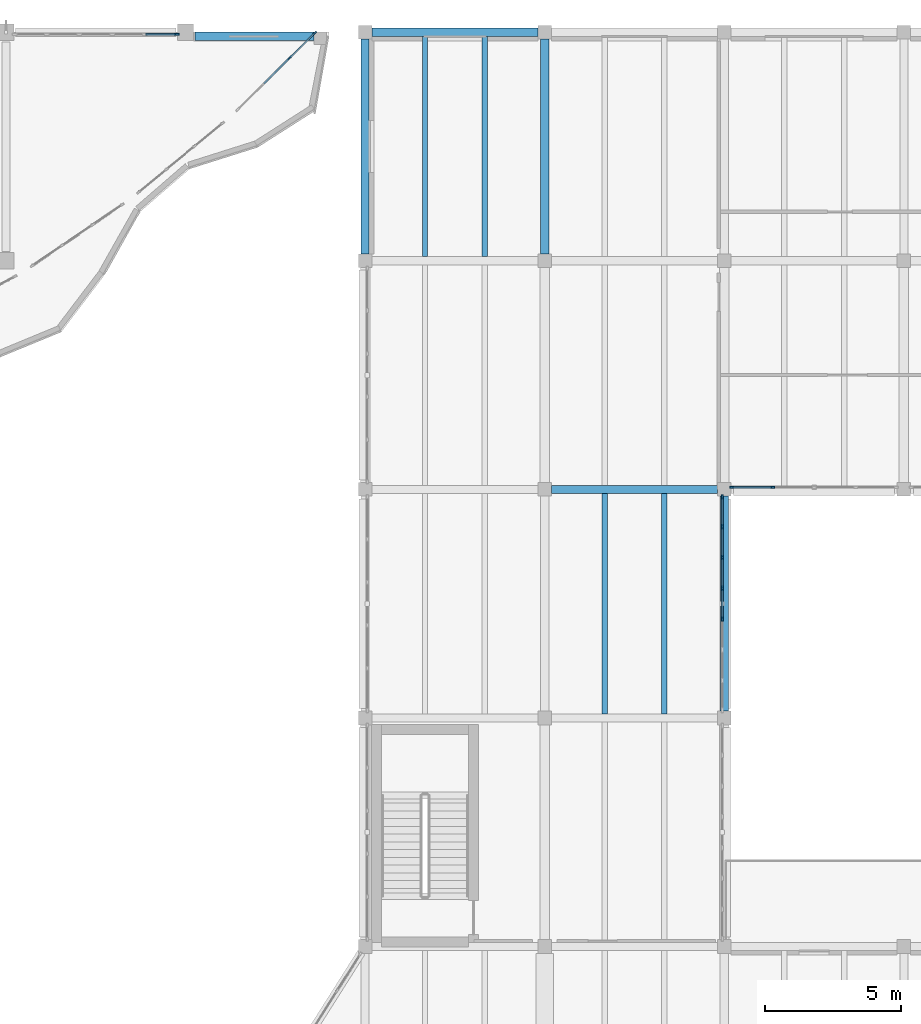
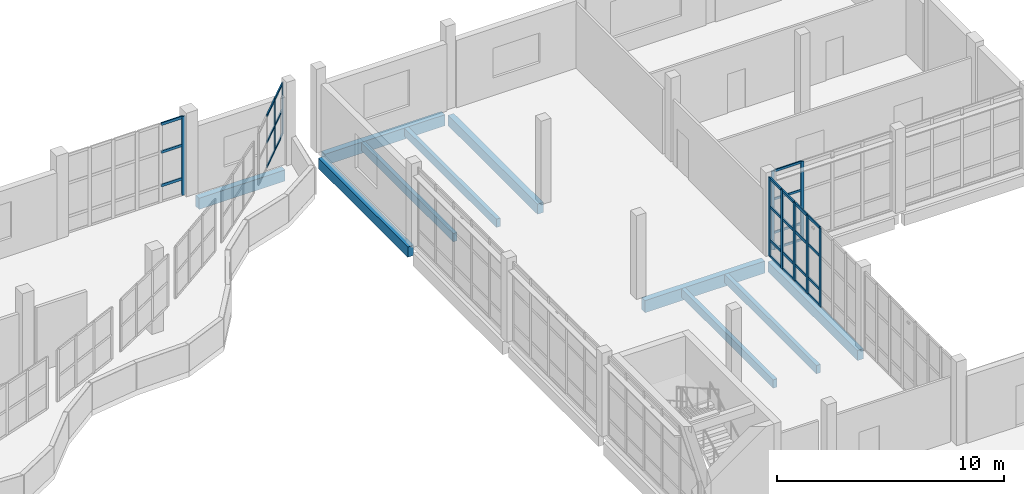
# One storey, part 30 of 76: 39 members, 10 beams, 4 elements without a shape of their own.
"""IFC4 building model written with IfcOpenShell, lengths in metres."""

from ifc_helpers import new_model, si_unit, direction, frame, origin, origin_2d, place, context, subcontext, project, spatial, rectangle, extrude, material, material_profile, profile_set, type_object, element, aggregate, save


model = new_model("IFC4")

# Units and contexts
model_context = context("Model", 3, precision=1e-05, world=origin(), true_north=direction((0.0, 1.0)))
body_context = subcontext(model_context, "Body", "Model", "MODEL_VIEW")
ifc_project = project(units=[si_unit("LENGTHUNIT", "METRE"), si_unit("AREAUNIT", "SQUARE_METRE"), si_unit("VOLUMEUNIT", "CUBIC_METRE"), si_unit("PLANEANGLEUNIT", "RADIAN"), si_unit("MASSUNIT", "GRAM", prefix="KILO")], contexts=[model_context])

# Site, building, storey
site_placement = place(None, origin())
site = spatial("IfcSite", under=ifc_project, at=site_placement, CompositionType="ELEMENT")
building_placement = place(site_placement, origin())
building = spatial("IfcBuilding", under=site, at=building_placement, Name="Qaldarim Faculty of Natural and Applied Sciences", CompositionType="ELEMENT")
storey_placement = place(building_placement, frame((0.0, 0.0, 9.89990234375)))
storey = spatial("IfcBuildingStorey", under=building, at=storey_placement, Name="L02", CompositionType="ELEMENT", Elevation=9.89990234375)

# Beams
ifc_material_1 = material(Name="Concrete C40/50", Category="concrete")
ifc_material_profile_1 = material_profile(ifc_material_1, rectangle(XDim=0.300048828125, YDim=0.550048828125, at=origin_2d()), Name="RC-B300x550")
ifc_profile_set_1 = profile_set([ifc_material_profile_1], Name="Concrete C40/50")
beam_type_1 = type_object("IfcBeamType", Name="FloorBeam-RC300x550", PredefinedType="BEAM", material=ifc_profile_set_1)
for number, where, z_axis, x_axis, name in (
    (1, (151.800048828125, 109.449951171875, -0.574951171875), (0.0, 1.0, 0.0), (-1.0, 0.0, 0.0), "Beam RC-B300x550 L01 X24/Y14-Y15"),
    (2, (158.39990234375, 109.449951171875, -0.574951171875), (0.0, 1.0, 0.0), (-1.0, 0.0, 0.0), "Beam RC-B300x550 L01 X25/Y14-Y15"),
    (3, (165.0, 92.64990234375, -0.574951171875), (0.0, 1.0, 0.0), (-1.0, 0.0, 0.0), "Beam RC-B300x550 L01 X26/Y12-Y13"),
):
    element("IfcBeam", number, at=place(storey_placement, frame(where, z_axis=z_axis, x_axis=x_axis)), inside=storey, type_object=beam_type_1, Name=name, PredefinedType="BEAM", context=body_context, shape_type="SweptSolid", body=[
        extrude(rectangle(XDim=0.300048828125, YDim=0.550048828125, at=origin_2d()), origin(), (0.0, 0.0, 1.0), 7.900146484375),
    ])
ifc_material_profile_2 = material_profile(ifc_material_1, rectangle(XDim=0.199951171875, YDim=0.449951171875, at=origin_2d()), Name="RC-J200x450")
ifc_profile_set_2 = profile_set([ifc_material_profile_2], Name="Concrete C40/50")
beam_type_2 = type_object("IfcBeamType", Name="LabJoist-RC200x450", PredefinedType="JOIST", material=ifc_profile_set_2)
for number, where, z_axis, x_axis, name in (
    (4, (154.0, 109.35009765625, -0.52490234375), (0.0, 1.0, 0.0), (-1.0, 0.0, 0.0), "Laboratory joist L01 bay X24Y14-1"),
    (5, (156.199951171875, 109.35009765625, -0.52490234375), (0.0, 1.0, 0.0), (-1.0, 0.0, 0.0), "Laboratory joist L01 bay X24Y14-2"),
    (6, (160.60009765625, 92.550048828125, -0.52490234375), (0.0, 1.0, 0.0), (-1.0, 0.0, 0.0), "Laboratory joist L01 bay X25Y12-1"),
    (7, (162.800048828125, 92.550048828125, -0.52490234375), (0.0, 1.0, 0.0), (-1.0, 0.0, 0.0), "Laboratory joist L01 bay X25Y12-2"),
):
    element("IfcBeam", number, at=place(storey_placement, frame(where, z_axis=z_axis, x_axis=x_axis)), inside=storey, type_object=beam_type_2, Name=name, PredefinedType="JOIST", context=body_context, shape_type="SweptSolid", body=[
        extrude(rectangle(XDim=0.199951171875, YDim=0.449951171875, at=origin_2d()), origin(), (0.0, 0.0, 1.0), 8.099853515625),
    ])

# Curtain wall, members
ifc_material_2 = material(Name="Anodised aluminium AW-6063", Category="aluminium")
curtain_wall_type_1 = type_object("IfcCurtainWallType", Name="CurtainWallSystem-M1600", PredefinedType="USERDEFINED", material=ifc_material_2)
curtain_wall_1_placement = place(storey_placement, origin())
curtain_wall_1 = element("IfcCurtainWall", 8, at=curtain_wall_1_placement, inside=storey, type_object=curtain_wall_type_1, Name="Curtain wall CW-L02-S-X26Y13", ObjectType="UNITISED FACADE", PredefinedType="USERDEFINED")
ifc_material_profile_3 = material_profile(ifc_material_2, rectangle(XDim=0.06005859375, YDim=0.14990234375, at=origin_2d()), Name="ALU-M60x150")
ifc_profile_set_3 = profile_set([ifc_material_profile_3], Name="Anodised aluminium AW-6063")
member_type_1 = type_object("IfcMemberType", Name="Mullion-ALU60x150", PredefinedType="MULLION", material=ifc_profile_set_3)
member_1_placement = place(storey_placement, frame((165.27490234375, 100.8798828125, 0.0), z_axis=(0.0, 0.0, 1.0), x_axis=(0.0, 1.0, 0.0)))
member_1 = element("IfcMember", 9, at=member_1_placement, type_object=member_type_1, Name="Mullion 1 of CW-L02-S-X26Y13", PredefinedType="MULLION", context=body_context, shape_type="SweptSolid", body=[
    extrude(rectangle(XDim=0.06005859375, YDim=0.14990234375, at=origin_2d()), origin(), (0.0, 0.0, 1.0), 4.239990234375),
])
member_2_placement = place(storey_placement, frame((166.7724609375, 100.8798828125, 0.0), z_axis=(0.0, 0.0, 1.0), x_axis=(0.0, 1.0, 0.0)))
member_2 = element("IfcMember", 10, at=member_2_placement, type_object=member_type_1, Name="Mullion 2 of CW-L02-S-X26Y13", PredefinedType="MULLION", context=body_context, shape_type="SweptSolid", body=[
    extrude(rectangle(XDim=0.06005859375, YDim=0.14990234375, at=origin_2d()), origin(), (0.0, 0.0, 1.0), 4.239990234375),
])

curtain_wall_type_2 = type_object("IfcCurtainWallType", Name="CurtainWallSystem-M1400", PredefinedType="USERDEFINED", material=ifc_material_2)
curtain_wall_2_placement = place(storey_placement, origin())
curtain_wall_2 = element("IfcCurtainWall", 11, at=curtain_wall_2_placement, inside=storey, type_object=curtain_wall_type_2, Name="Curtain wall CW-V4ARC-L02-16", ObjectType="STICK CURTAIN WALL", PredefinedType="USERDEFINED")
member_3_placement = place(storey_placement, frame((149.01171875, 116.639892578125, 1.4501953125), z_axis=(0.0, 0.0, 1.0), x_axis=(-0.704014724456, 0.710185375623, 0.0)))
member_3 = element("IfcMember", 12, at=member_3_placement, type_object=member_type_1, Name="Mullion 3 of CW-V4ARC-L02-16", PredefinedType="MULLION", context=body_context, shape_type="SweptSolid", body=[
    extrude(rectangle(XDim=0.06005859375, YDim=0.14990234375, at=origin_2d()), origin(), (0.0, 0.0, 1.0), 2.789794921875),
])
member_4_placement = place(storey_placement, frame((149.94873046875, 117.56884765625, 1.4501953125), z_axis=(0.0, 0.0, 1.0), x_axis=(-0.704014724456, 0.710185375623, 0.0)))
member_4 = element("IfcMember", 13, at=member_4_placement, type_object=member_type_1, Name="Mullion 4 of CW-V4ARC-L02-16", PredefinedType="MULLION", context=body_context, shape_type="SweptSolid", body=[
    extrude(rectangle(XDim=0.06005859375, YDim=0.14990234375, at=origin_2d()), origin(), (0.0, 0.0, 1.0), 2.789794921875),
])

# Curtain wall, member
curtain_wall_type_3 = type_object("IfcCurtainWallType", Name="CurtainWallSystem-M1200", PredefinedType="USERDEFINED", material=ifc_material_2)
curtain_wall_3_placement = place(storey_placement, origin())
curtain_wall_3 = element("IfcCurtainWall", 14, at=curtain_wall_3_placement, inside=storey, type_object=curtain_wall_type_3, Name="Curtain wall CW-L02-N-X22Y14", ObjectType="STICK CURTAIN WALL", PredefinedType="USERDEFINED")
ifc_material_profile_4 = material_profile(ifc_material_2, rectangle(XDim=0.070068359375, YDim=0.179931640625, at=origin_2d()), Name="ALU-M70x180")
ifc_profile_set_4 = profile_set([ifc_material_profile_4], Name="Anodised aluminium AW-6063")
member_type_2 = type_object("IfcMemberType", Name="Mullion-ALU70x180", PredefinedType="MULLION", material=ifc_profile_set_4)
member_5_placement = place(storey_placement, frame((144.8701171875, 117.52001953125, 0.0), z_axis=(0.0, 0.0, 1.0), x_axis=(0.0, -1.0, 0.0)))
member_5 = element("IfcMember", 15, at=member_5_placement, type_object=member_type_2, Name="Mullion 1 of CW-L02-N-X22Y14", PredefinedType="MULLION", context=body_context, shape_type="SweptSolid", body=[
    extrude(rectangle(XDim=0.070068359375, YDim=0.179931640625, at=origin_2d()), origin(), (0.0, 0.0, 1.0), 4.239990234375),
])

# Curtain wall, members
curtain_wall_4_placement = place(storey_placement, origin())
curtain_wall_4 = element("IfcCurtainWall", 16, at=curtain_wall_4_placement, inside=storey, type_object=curtain_wall_type_3, Name="Curtain wall CW-L02-E-X25Y12", ObjectType="STICK CURTAIN WALL", PredefinedType="USERDEFINED")
member_6_placement = place(storey_placement, frame((164.919921875, 96.034912109375, 0.0), z_axis=(0.0, 0.0, 1.0), x_axis=(-1.0, 0.0, 0.0)))
member_6 = element("IfcMember", 17, at=member_6_placement, type_object=member_type_2, Name="Mullion 4 of CW-L02-E-X25Y12", PredefinedType="MULLION", context=body_context, shape_type="SweptSolid", body=[
    extrude(rectangle(XDim=0.070068359375, YDim=0.179931640625, at=origin_2d()), origin(), (0.0, 0.0, 1.0), 4.239990234375),
])
member_7_placement = place(storey_placement, frame((164.919921875, 97.1650390625, 0.0), z_axis=(0.0, 0.0, 1.0), x_axis=(-1.0, 0.0, 0.0)))
member_7 = element("IfcMember", 18, at=member_7_placement, type_object=member_type_2, Name="Mullion 5 of CW-L02-E-X25Y12", PredefinedType="MULLION", context=body_context, shape_type="SweptSolid", body=[
    extrude(rectangle(XDim=0.070068359375, YDim=0.179931640625, at=origin_2d()), origin(), (0.0, 0.0, 1.0), 4.239990234375),
])
member_8_placement = place(storey_placement, frame((164.919921875, 98.294921875, 0.0), z_axis=(0.0, 0.0, 1.0), x_axis=(-1.0, 0.0, 0.0)))
member_8 = element("IfcMember", 19, at=member_8_placement, type_object=member_type_2, Name="Mullion 6 of CW-L02-E-X25Y12", PredefinedType="MULLION", context=body_context, shape_type="SweptSolid", body=[
    extrude(rectangle(XDim=0.070068359375, YDim=0.179931640625, at=origin_2d()), origin(), (0.0, 0.0, 1.0), 4.239990234375),
])
member_9_placement = place(storey_placement, frame((164.919921875, 99.425048828125, 0.0), z_axis=(0.0, 0.0, 1.0), x_axis=(-1.0, 0.0, 0.0)))
member_9 = element("IfcMember", 20, at=member_9_placement, type_object=member_type_2, Name="Mullion 7 of CW-L02-E-X25Y12", PredefinedType="MULLION", context=body_context, shape_type="SweptSolid", body=[
    extrude(rectangle(XDim=0.070068359375, YDim=0.179931640625, at=origin_2d()), origin(), (0.0, 0.0, 1.0), 4.239990234375),
])
member_10_placement = place(storey_placement, frame((164.919921875, 100.52001953125, 0.0), z_axis=(0.0, 0.0, 1.0), x_axis=(-1.0, 0.0, 0.0)))
member_10 = element("IfcMember", 21, at=member_10_placement, type_object=member_type_2, Name="Mullion 8 of CW-L02-E-X25Y12", PredefinedType="MULLION", context=body_context, shape_type="SweptSolid", body=[
    extrude(rectangle(XDim=0.070068359375, YDim=0.179931640625, at=origin_2d()), origin(), (0.0, 0.0, 1.0), 4.239990234375),
])

# Beams
ifc_material_profile_5 = material_profile(ifc_material_1, rectangle(XDim=0.300048828125, YDim=0.64990234375, at=origin_2d()), Name="RC-B300x650")
ifc_profile_set_5 = profile_set([ifc_material_profile_5], Name="Concrete C40/50")
beam_type_3 = type_object("IfcBeamType", Name="PrimaryBeam-RC300x650", PredefinedType="BEAM", material=ifc_profile_set_5)
beam_1_placement = place(storey_placement, frame((158.64990234375, 100.800048828125, -0.625), z_axis=(1.0, 0.0, 0.0), x_axis=(0.0, 1.0, 0.0)))
element("IfcBeam", 22, at=beam_1_placement, inside=storey, type_object=beam_type_3, Name="Beam RC-B300x650 L01 X25-X26/Y13", PredefinedType="BEAM", context=body_context, shape_type="SweptSolid", body=[
    extrude(rectangle(XDim=0.300048828125, YDim=0.64990234375, at=origin_2d()), origin(), (0.0, 0.0, 1.0), 6.10009765625),
])
ifc_material_3 = material(Name="Precast concrete C40/50", Category="concrete")
ifc_material_profile_6 = material_profile(ifc_material_3, rectangle(XDim=0.300048828125, YDim=0.60009765625, at=origin_2d()), Name="RC-SP300x600")
ifc_profile_set_6 = profile_set([ifc_material_profile_6], Name="Precast concrete C40/50")
beam_type_4 = type_object("IfcBeamType", Name="SpandrelBeam-RC300x600", PredefinedType="SPANDREL", material=ifc_profile_set_6)
beam_2_placement = place(storey_placement, frame((152.050048828125, 117.60009765625, -0.599853515625), z_axis=(1.0, 0.0, 0.0), x_axis=(0.0, 1.0, 0.0)))
element("IfcBeam", 23, at=beam_2_placement, inside=storey, type_object=beam_type_4, Name="Beam RC-SP300x600 L01 X24-X25/Y15", PredefinedType="SPANDREL", context=body_context, shape_type="SweptSolid", body=[
    extrude(rectangle(XDim=0.300048828125, YDim=0.60009765625, at=origin_2d()), origin(), (0.0, 0.0, 1.0), 6.099853515625),
])
beam_3_placement = place(storey_placement, frame((145.550048828125, 117.449951171875, -0.599853515625), z_axis=(1.0, 0.0, 0.0), x_axis=(0.0, 1.0, 0.0)))
element("IfcBeam", 24, at=beam_3_placement, inside=storey, type_object=beam_type_4, Name="Laboratories NE corner perimeter beam L01", PredefinedType="SPANDREL", context=body_context, shape_type="SweptSolid", body=[
    extrude(rectangle(XDim=0.300048828125, YDim=0.60009765625, at=origin_2d()), origin(), (0.0, 0.0, 1.0), 4.375),
])

# Member
ifc_material_profile_7 = material_profile(ifc_material_2, rectangle(XDim=0.06005859375, YDim=0.1201171875, at=origin_2d()), Name="ALU-T60x120")
ifc_profile_set_7 = profile_set([ifc_material_profile_7], Name="Anodised aluminium AW-6063")
member_type_3 = type_object("IfcMemberType", Name="Transom-ALU60x120", PredefinedType="USERDEFINED", material=ifc_profile_set_7)
member_11_placement = place(storey_placement, frame((165.304931640625, 100.8798828125, 0.030029296875), z_axis=(1.0, 0.0, 0.0), x_axis=(0.0, 1.0, 0.0)))
member_11 = element("IfcMember", 25, at=member_11_placement, type_object=member_type_3, Name="Transom 1-1 of CW-L02-S-X26Y13", ObjectType="TRANSOM", PredefinedType="USERDEFINED", context=body_context, shape_type="SweptSolid", body=[
    extrude(rectangle(XDim=0.06005859375, YDim=0.1201171875, at=origin_2d()), origin(), (0.0, 0.0, 1.0), 1.4375),
])

member_12_placement = place(storey_placement, frame((165.304931640625, 100.8798828125, 0.900146484375), z_axis=(1.0, 0.0, 0.0), x_axis=(0.0, 1.0, 0.0)))
member_12 = element("IfcMember", 26, at=member_12_placement, type_object=member_type_3, Name="Transom 1-2 of CW-L02-S-X26Y13", ObjectType="TRANSOM", PredefinedType="USERDEFINED", context=body_context, shape_type="SweptSolid", body=[
    extrude(rectangle(XDim=0.06005859375, YDim=0.1201171875, at=origin_2d()), origin(), (0.0, 0.0, 1.0), 1.4375),
])

member_13_placement = place(storey_placement, frame((165.304931640625, 100.8798828125, 2.7001953125), z_axis=(1.0, 0.0, 0.0), x_axis=(0.0, 1.0, 0.0)))
member_13 = element("IfcMember", 27, at=member_13_placement, type_object=member_type_3, Name="Transom 1-3 of CW-L02-S-X26Y13", ObjectType="TRANSOM", PredefinedType="USERDEFINED", context=body_context, shape_type="SweptSolid", body=[
    extrude(rectangle(XDim=0.06005859375, YDim=0.1201171875, at=origin_2d()), origin(), (0.0, 0.0, 1.0), 1.4375),
])

member_14_placement = place(storey_placement, frame((165.304931640625, 100.8798828125, 4.210205078125), z_axis=(1.0, 0.0, 0.0), x_axis=(0.0, 1.0, 0.0)))
member_14 = element("IfcMember", 28, at=member_14_placement, type_object=member_type_3, Name="Transom 1-4 of CW-L02-S-X26Y13", ObjectType="TRANSOM", PredefinedType="USERDEFINED", context=body_context, shape_type="SweptSolid", body=[
    extrude(rectangle(XDim=0.06005859375, YDim=0.1201171875, at=origin_2d()), origin(), (0.0, 0.0, 1.0), 1.4375),
])

aggregate(curtain_wall_1, [member_1, member_2, member_11, member_12, member_13, member_14])

member_15_placement = place(storey_placement, frame((148.07470703125, 115.711181640625, 1.47998046875), z_axis=(0.710224032192, 0.703975726923, 0.0), x_axis=(-0.703975726923, 0.710224032192, 0.0)))
member_15 = element("IfcMember", 29, at=member_15_placement, type_object=member_type_3, Name="Transom 2-1 of CW-V4ARC-L02-16", ObjectType="TRANSOM", PredefinedType="USERDEFINED", context=body_context, shape_type="SweptSolid", body=[
    extrude(rectangle(XDim=0.06005859375, YDim=0.1201171875, at=origin_2d()), origin(), (0.0, 0.0, 1.0), 1.289306640625),
])

member_16_placement = place(storey_placement, frame((148.07470703125, 115.711181640625, 2.800048828125), z_axis=(0.710224032192, 0.703975726923, 0.0), x_axis=(-0.703975726923, 0.710224032192, 0.0)))
member_16 = element("IfcMember", 30, at=member_16_placement, type_object=member_type_3, Name="Transom 2-2 of CW-V4ARC-L02-16", ObjectType="TRANSOM", PredefinedType="USERDEFINED", context=body_context, shape_type="SweptSolid", body=[
    extrude(rectangle(XDim=0.06005859375, YDim=0.1201171875, at=origin_2d()), origin(), (0.0, 0.0, 1.0), 1.289306640625),
])

member_17_placement = place(storey_placement, frame((148.07470703125, 115.711181640625, 4.210205078125), z_axis=(0.710224032192, 0.703975726923, 0.0), x_axis=(-0.703975726923, 0.710224032192, 0.0)))
member_17 = element("IfcMember", 31, at=member_17_placement, type_object=member_type_3, Name="Transom 2-3 of CW-V4ARC-L02-16", ObjectType="TRANSOM", PredefinedType="USERDEFINED", context=body_context, shape_type="SweptSolid", body=[
    extrude(rectangle(XDim=0.06005859375, YDim=0.1201171875, at=origin_2d()), origin(), (0.0, 0.0, 1.0), 1.289306640625),
])

member_18_placement = place(storey_placement, frame((149.032958984375, 116.6611328125, 1.47998046875), z_axis=(0.71020129579, 0.703998664386, 0.0), x_axis=(-0.703998664386, 0.71020129579, 0.0)))
member_18 = element("IfcMember", 32, at=member_18_placement, type_object=member_type_3, Name="Transom 3-1 of CW-V4ARC-L02-16", ObjectType="TRANSOM", PredefinedType="USERDEFINED", context=body_context, shape_type="SweptSolid", body=[
    extrude(rectangle(XDim=0.06005859375, YDim=0.1201171875, at=origin_2d()), origin(), (0.0, 0.0, 1.0), 1.259521484375),
])

member_19_placement = place(storey_placement, frame((149.032958984375, 116.6611328125, 2.800048828125), z_axis=(0.71020129579, 0.703998664386, 0.0), x_axis=(-0.703998664386, 0.71020129579, 0.0)))
member_19 = element("IfcMember", 33, at=member_19_placement, type_object=member_type_3, Name="Transom 3-2 of CW-V4ARC-L02-16", ObjectType="TRANSOM", PredefinedType="USERDEFINED", context=body_context, shape_type="SweptSolid", body=[
    extrude(rectangle(XDim=0.06005859375, YDim=0.1201171875, at=origin_2d()), origin(), (0.0, 0.0, 1.0), 1.259521484375),
])

member_20_placement = place(storey_placement, frame((149.032958984375, 116.6611328125, 4.210205078125), z_axis=(0.71020129579, 0.703998664386, 0.0), x_axis=(-0.703998664386, 0.71020129579, 0.0)))
member_20 = element("IfcMember", 34, at=member_20_placement, type_object=member_type_3, Name="Transom 3-3 of CW-V4ARC-L02-16", ObjectType="TRANSOM", PredefinedType="USERDEFINED", context=body_context, shape_type="SweptSolid", body=[
    extrude(rectangle(XDim=0.06005859375, YDim=0.1201171875, at=origin_2d()), origin(), (0.0, 0.0, 1.0), 1.259521484375),
])

aggregate(curtain_wall_2, [member_3, member_4, member_15, member_16, member_17, member_18, member_19, member_20])

ifc_material_profile_8 = material_profile(ifc_material_2, rectangle(XDim=0.070068359375, YDim=0.139892578125, at=origin_2d()), Name="ALU-T70x140")
ifc_profile_set_8 = profile_set([ifc_material_profile_8], Name="Anodised aluminium AW-6063")
member_type_4 = type_object("IfcMemberType", Name="Transom-ALU70x140", PredefinedType="USERDEFINED", material=ifc_profile_set_8)
member_21_placement = place(storey_placement, frame((144.8349609375, 117.52001953125, 0.900146484375), z_axis=(-1.0, 0.0, 0.0), x_axis=(0.0, -1.0, 0.0)))
member_21 = element("IfcMember", 35, at=member_21_placement, type_object=member_type_4, Name="Transom 1-2 of CW-L02-N-X22Y14", ObjectType="TRANSOM", PredefinedType="USERDEFINED", context=body_context, shape_type="SweptSolid", body=[
    extrude(rectangle(XDim=0.070068359375, YDim=0.139892578125, at=origin_2d()), origin(), (0.0, 0.0, 1.0), 1.096923828125),
])

member_22_placement = place(storey_placement, frame((144.8349609375, 117.52001953125, 2.7001953125), z_axis=(-1.0, 0.0, 0.0), x_axis=(0.0, -1.0, 0.0)))
member_22 = element("IfcMember", 36, at=member_22_placement, type_object=member_type_4, Name="Transom 1-3 of CW-L02-N-X22Y14", ObjectType="TRANSOM", PredefinedType="USERDEFINED", context=body_context, shape_type="SweptSolid", body=[
    extrude(rectangle(XDim=0.070068359375, YDim=0.139892578125, at=origin_2d()), origin(), (0.0, 0.0, 1.0), 1.096923828125),
])

member_23_placement = place(storey_placement, frame((144.8349609375, 117.52001953125, 4.205078125), z_axis=(-1.0, 0.0, 0.0), x_axis=(0.0, -1.0, 0.0)))
member_23 = element("IfcMember", 37, at=member_23_placement, type_object=member_type_4, Name="Transom 1-4 of CW-L02-N-X22Y14", ObjectType="TRANSOM", PredefinedType="USERDEFINED", context=body_context, shape_type="SweptSolid", body=[
    extrude(rectangle(XDim=0.070068359375, YDim=0.139892578125, at=origin_2d()), origin(), (0.0, 0.0, 1.0), 1.096923828125),
])

aggregate(curtain_wall_3, [member_5, member_21, member_22, member_23])

member_24_placement = place(storey_placement, frame((164.919921875, 96.070068359375, 0.03515625), z_axis=(0.0, 1.0, 0.0), x_axis=(-1.0, 0.0, 0.0)))
member_24 = element("IfcMember", 38, at=member_24_placement, type_object=member_type_4, Name="Transom 4-1 of CW-L02-E-X25Y12", ObjectType="TRANSOM", PredefinedType="USERDEFINED", context=body_context, shape_type="SweptSolid", body=[
    extrude(rectangle(XDim=0.070068359375, YDim=0.139892578125, at=origin_2d()), origin(), (0.0, 0.0, 1.0), 1.059814453125),
])

member_25_placement = place(storey_placement, frame((164.919921875, 96.070068359375, 0.900146484375), z_axis=(0.0, 1.0, 0.0), x_axis=(-1.0, 0.0, 0.0)))
member_25 = element("IfcMember", 39, at=member_25_placement, type_object=member_type_4, Name="Transom 4-2 of CW-L02-E-X25Y12", ObjectType="TRANSOM", PredefinedType="USERDEFINED", context=body_context, shape_type="SweptSolid", body=[
    extrude(rectangle(XDim=0.070068359375, YDim=0.139892578125, at=origin_2d()), origin(), (0.0, 0.0, 1.0), 1.059814453125),
])

member_26_placement = place(storey_placement, frame((164.919921875, 96.070068359375, 2.7001953125), z_axis=(0.0, 1.0, 0.0), x_axis=(-1.0, 0.0, 0.0)))
member_26 = element("IfcMember", 40, at=member_26_placement, type_object=member_type_4, Name="Transom 4-3 of CW-L02-E-X25Y12", ObjectType="TRANSOM", PredefinedType="USERDEFINED", context=body_context, shape_type="SweptSolid", body=[
    extrude(rectangle(XDim=0.070068359375, YDim=0.139892578125, at=origin_2d()), origin(), (0.0, 0.0, 1.0), 1.059814453125),
])

member_27_placement = place(storey_placement, frame((164.919921875, 96.070068359375, 4.205078125), z_axis=(0.0, 1.0, 0.0), x_axis=(-1.0, 0.0, 0.0)))
member_27 = element("IfcMember", 41, at=member_27_placement, type_object=member_type_4, Name="Transom 4-4 of CW-L02-E-X25Y12", ObjectType="TRANSOM", PredefinedType="USERDEFINED", context=body_context, shape_type="SweptSolid", body=[
    extrude(rectangle(XDim=0.070068359375, YDim=0.139892578125, at=origin_2d()), origin(), (0.0, 0.0, 1.0), 1.059814453125),
])

member_28_placement = place(storey_placement, frame((164.919921875, 97.199951171875, 0.03515625), z_axis=(0.0, 1.0, 0.0), x_axis=(-1.0, 0.0, 0.0)))
member_28 = element("IfcMember", 42, at=member_28_placement, type_object=member_type_4, Name="Transom 5-1 of CW-L02-E-X25Y12", ObjectType="TRANSOM", PredefinedType="USERDEFINED", context=body_context, shape_type="SweptSolid", body=[
    extrude(rectangle(XDim=0.070068359375, YDim=0.139892578125, at=origin_2d()), origin(), (0.0, 0.0, 1.0), 1.06005859375),
])

member_29_placement = place(storey_placement, frame((164.919921875, 97.199951171875, 0.900146484375), z_axis=(0.0, 1.0, 0.0), x_axis=(-1.0, 0.0, 0.0)))
member_29 = element("IfcMember", 43, at=member_29_placement, type_object=member_type_4, Name="Transom 5-2 of CW-L02-E-X25Y12", ObjectType="TRANSOM", PredefinedType="USERDEFINED", context=body_context, shape_type="SweptSolid", body=[
    extrude(rectangle(XDim=0.070068359375, YDim=0.139892578125, at=origin_2d()), origin(), (0.0, 0.0, 1.0), 1.06005859375),
])

member_30_placement = place(storey_placement, frame((164.919921875, 97.199951171875, 2.7001953125), z_axis=(0.0, 1.0, 0.0), x_axis=(-1.0, 0.0, 0.0)))
member_30 = element("IfcMember", 44, at=member_30_placement, type_object=member_type_4, Name="Transom 5-3 of CW-L02-E-X25Y12", ObjectType="TRANSOM", PredefinedType="USERDEFINED", context=body_context, shape_type="SweptSolid", body=[
    extrude(rectangle(XDim=0.070068359375, YDim=0.139892578125, at=origin_2d()), origin(), (0.0, 0.0, 1.0), 1.06005859375),
])

member_31_placement = place(storey_placement, frame((164.919921875, 97.199951171875, 4.205078125), z_axis=(0.0, 1.0, 0.0), x_axis=(-1.0, 0.0, 0.0)))
member_31 = element("IfcMember", 45, at=member_31_placement, type_object=member_type_4, Name="Transom 5-4 of CW-L02-E-X25Y12", ObjectType="TRANSOM", PredefinedType="USERDEFINED", context=body_context, shape_type="SweptSolid", body=[
    extrude(rectangle(XDim=0.070068359375, YDim=0.139892578125, at=origin_2d()), origin(), (0.0, 0.0, 1.0), 1.06005859375),
])

member_32_placement = place(storey_placement, frame((164.919921875, 98.330078125, 0.03515625), z_axis=(0.0, 1.0, 0.0), x_axis=(-1.0, 0.0, 0.0)))
member_32 = element("IfcMember", 46, at=member_32_placement, type_object=member_type_4, Name="Transom 6-1 of CW-L02-E-X25Y12", ObjectType="TRANSOM", PredefinedType="USERDEFINED", context=body_context, shape_type="SweptSolid", body=[
    extrude(rectangle(XDim=0.070068359375, YDim=0.139892578125, at=origin_2d()), origin(), (0.0, 0.0, 1.0), 1.059814453125),
])

member_33_placement = place(storey_placement, frame((164.919921875, 98.330078125, 0.900146484375), z_axis=(0.0, 1.0, 0.0), x_axis=(-1.0, 0.0, 0.0)))
member_33 = element("IfcMember", 47, at=member_33_placement, type_object=member_type_4, Name="Transom 6-2 of CW-L02-E-X25Y12", ObjectType="TRANSOM", PredefinedType="USERDEFINED", context=body_context, shape_type="SweptSolid", body=[
    extrude(rectangle(XDim=0.070068359375, YDim=0.139892578125, at=origin_2d()), origin(), (0.0, 0.0, 1.0), 1.059814453125),
])

member_34_placement = place(storey_placement, frame((164.919921875, 98.330078125, 2.7001953125), z_axis=(0.0, 1.0, 0.0), x_axis=(-1.0, 0.0, 0.0)))
member_34 = element("IfcMember", 48, at=member_34_placement, type_object=member_type_4, Name="Transom 6-3 of CW-L02-E-X25Y12", ObjectType="TRANSOM", PredefinedType="USERDEFINED", context=body_context, shape_type="SweptSolid", body=[
    extrude(rectangle(XDim=0.070068359375, YDim=0.139892578125, at=origin_2d()), origin(), (0.0, 0.0, 1.0), 1.059814453125),
])

member_35_placement = place(storey_placement, frame((164.919921875, 98.330078125, 4.205078125), z_axis=(0.0, 1.0, 0.0), x_axis=(-1.0, 0.0, 0.0)))
member_35 = element("IfcMember", 49, at=member_35_placement, type_object=member_type_4, Name="Transom 6-4 of CW-L02-E-X25Y12", ObjectType="TRANSOM", PredefinedType="USERDEFINED", context=body_context, shape_type="SweptSolid", body=[
    extrude(rectangle(XDim=0.070068359375, YDim=0.139892578125, at=origin_2d()), origin(), (0.0, 0.0, 1.0), 1.059814453125),
])

member_36_placement = place(storey_placement, frame((164.919921875, 99.4599609375, 0.03515625), z_axis=(0.0, 1.0, 0.0), x_axis=(-1.0, 0.0, 0.0)))
member_36 = element("IfcMember", 50, at=member_36_placement, type_object=member_type_4, Name="Transom 7-1 of CW-L02-E-X25Y12", ObjectType="TRANSOM", PredefinedType="USERDEFINED", context=body_context, shape_type="SweptSolid", body=[
    extrude(rectangle(XDim=0.070068359375, YDim=0.139892578125, at=origin_2d()), origin(), (0.0, 0.0, 1.0), 1.025146484375),
])

member_37_placement = place(storey_placement, frame((164.919921875, 99.4599609375, 0.900146484375), z_axis=(0.0, 1.0, 0.0), x_axis=(-1.0, 0.0, 0.0)))
member_37 = element("IfcMember", 51, at=member_37_placement, type_object=member_type_4, Name="Transom 7-2 of CW-L02-E-X25Y12", ObjectType="TRANSOM", PredefinedType="USERDEFINED", context=body_context, shape_type="SweptSolid", body=[
    extrude(rectangle(XDim=0.070068359375, YDim=0.139892578125, at=origin_2d()), origin(), (0.0, 0.0, 1.0), 1.025146484375),
])

member_38_placement = place(storey_placement, frame((164.919921875, 99.4599609375, 2.7001953125), z_axis=(0.0, 1.0, 0.0), x_axis=(-1.0, 0.0, 0.0)))
member_38 = element("IfcMember", 52, at=member_38_placement, type_object=member_type_4, Name="Transom 7-3 of CW-L02-E-X25Y12", ObjectType="TRANSOM", PredefinedType="USERDEFINED", context=body_context, shape_type="SweptSolid", body=[
    extrude(rectangle(XDim=0.070068359375, YDim=0.139892578125, at=origin_2d()), origin(), (0.0, 0.0, 1.0), 1.025146484375),
])

member_39_placement = place(storey_placement, frame((164.919921875, 99.4599609375, 4.205078125), z_axis=(0.0, 1.0, 0.0), x_axis=(-1.0, 0.0, 0.0)))
member_39 = element("IfcMember", 53, at=member_39_placement, type_object=member_type_4, Name="Transom 7-4 of CW-L02-E-X25Y12", ObjectType="TRANSOM", PredefinedType="USERDEFINED", context=body_context, shape_type="SweptSolid", body=[
    extrude(rectangle(XDim=0.070068359375, YDim=0.139892578125, at=origin_2d()), origin(), (0.0, 0.0, 1.0), 1.025146484375),
])

aggregate(curtain_wall_4, [member_6, member_7, member_8, member_9, member_10, member_24, member_25, member_26, member_27, member_28, member_29, member_30, member_31, member_32, member_33, member_34, member_35, member_36, member_37, member_38, member_39])

save(model, "model.ifc")
